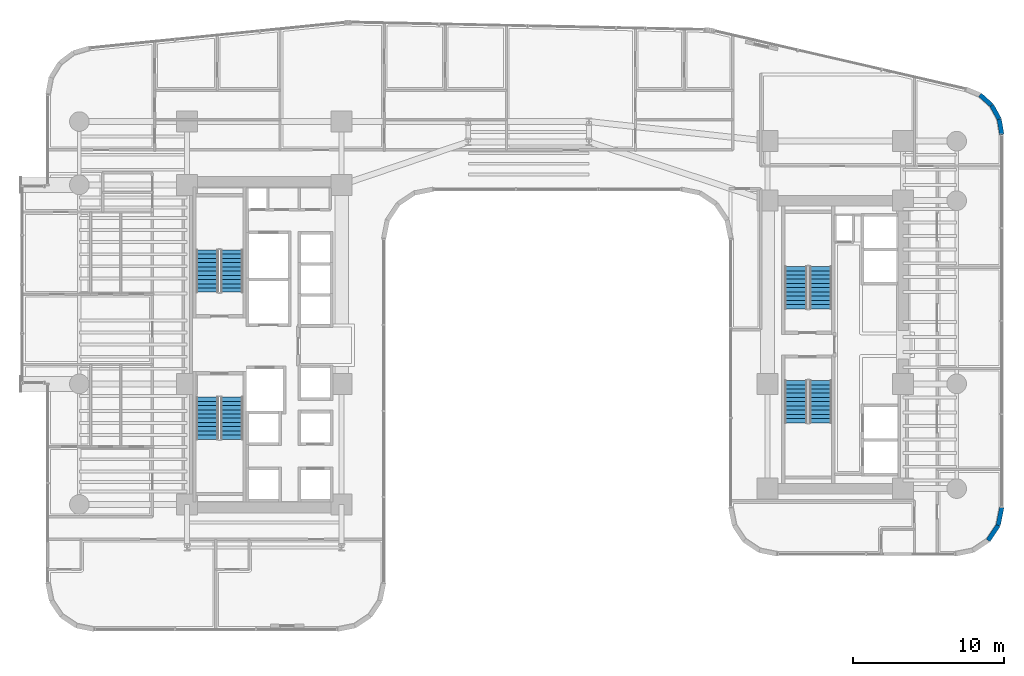
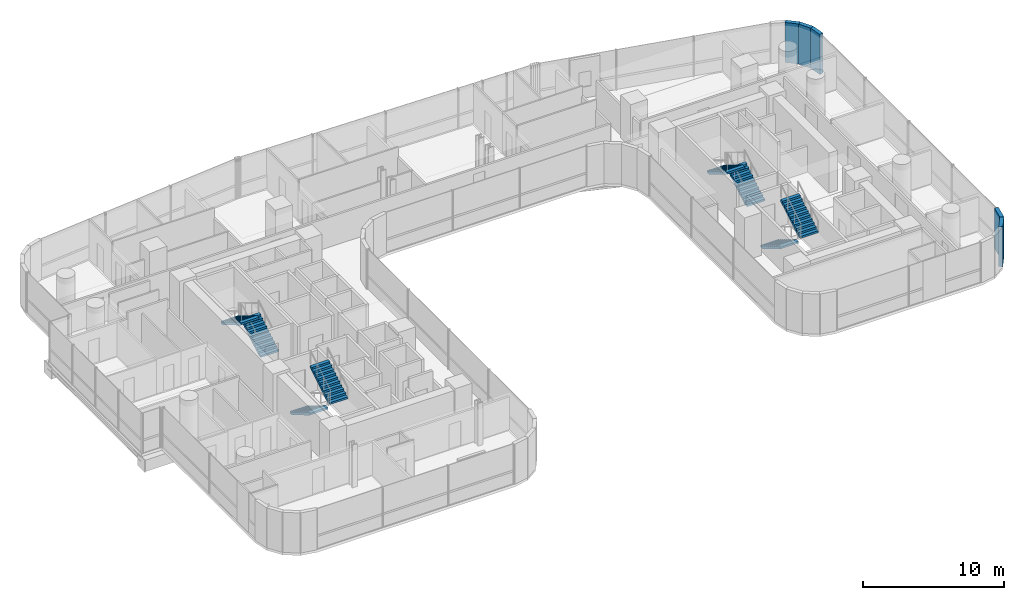
# One storey, part 34 of 40: 8 stair flights, 5 walls, 4 elements without a shape of their own.
"""IFC4 building model written with IfcOpenShell, lengths in metres."""

from ifc_helpers import new_model, si_unit, direction, frame, frame_2d, origin, place, context, subcontext, project, spatial, polyline, rectangle, outline, extrude, material, layer, layer_set, type_object, element, aggregate, save


model = new_model("IFC4")

# Units and contexts
model_context = context("Model", 3, precision=1e-05, world=origin(), true_north=direction((0.0, 1.0)))
body_context = subcontext(model_context, "Body", "Model", "MODEL_VIEW")
ifc_project = project(units=[si_unit("LENGTHUNIT", "METRE"), si_unit("AREAUNIT", "SQUARE_METRE"), si_unit("VOLUMEUNIT", "CUBIC_METRE"), si_unit("PLANEANGLEUNIT", "RADIAN"), si_unit("MASSUNIT", "GRAM", prefix="KILO")], contexts=[model_context])

# Site, building, storey
site_placement = place(None, origin())
site = spatial("IfcSite", under=ifc_project, at=site_placement, CompositionType="ELEMENT")
building_placement = place(site_placement, origin())
building = spatial("IfcBuilding", under=site, at=building_placement, Name="Valdorenza Pilgrim Sanctuary Tower", CompositionType="ELEMENT")
storey_placement = place(building_placement, frame((0.0, 0.0, 40.800048828125)))
storey = spatial("IfcBuildingStorey", under=building, at=storey_placement, Name="L09", CompositionType="ELEMENT", Elevation=40.800048828125)

# Walls
ifc_material_1 = material(Name="Honed travertine limestone", Category="masonry")
ifc_layer = layer(ifc_material_1, 0.300048828125, Name="Honed travertine limestone")
ifc_layer_set = layer_set([ifc_layer], Name="Honed travertine limestone")
wall_type = type_object("IfcWallType", Name="WAL-EXT-300", PredefinedType="SOLIDWALL", material=ifc_layer_set)
wall_1_placement = place(storey_placement, frame((29.947998046875, 16.56640625, 0.0), z_axis=(0.0, 0.0, 1.0), x_axis=(0.744585645533, -0.66752694063, 0.0)))
element("IfcWall", 1, at=wall_1_placement, inside=storey, type_object=wall_type, Name="L09 Rounded Wind-Corner Stone Pier 18", PredefinedType="SOLIDWALL", context=body_context, shape_type="SweptSolid", body=[
    extrude(rectangle(XDim=1.032958984375, YDim=0.300048828125, at=frame_2d((0.5166015625, 0.0))), origin(), (0.0, 0.0, 1.0), 3.4599609375),
])
wall_2_placement = place(storey_placement, frame((30.717041015625, 15.876953125, 0.0), z_axis=(0.0, 0.0, 1.0), x_axis=(0.482971098131, -0.875636293429, 0.0)))
element("IfcWall", 2, at=wall_2_placement, inside=storey, type_object=wall_type, Name="L09 Rounded Wind-Corner Stone Pier 19", PredefinedType="SOLIDWALL", context=body_context, shape_type="SweptSolid", body=[
    extrude(rectangle(XDim=1.03271484375, YDim=0.300048828125, at=frame_2d((0.516357421875, 0.0))), origin(), (0.0, 0.0, 1.0), 3.4599609375),
])
wall_3_placement = place(storey_placement, frame((31.2158203125, 14.97265625, 0.0), z_axis=(0.0, 0.0, 1.0), x_axis=(0.167019462117, -0.985953598946, 0.0)))
element("IfcWall", 3, at=wall_3_placement, inside=storey, type_object=wall_type, Name="L09 Rounded Wind-Corner Stone Pier 20", PredefinedType="SOLIDWALL", context=body_context, shape_type="SweptSolid", body=[
    extrude(rectangle(XDim=1.042236328125, YDim=0.300048828125, at=frame_2d((0.52099609375, 0.0))), origin(), (0.0, 0.0, 1.0), 3.4599609375),
])
wall_4_placement = place(storey_placement, frame((31.389892578125, -10.789306640625, 0.0), z_axis=(0.0, 0.0, 1.0), x_axis=(-0.194996050505, -0.980804027463, 0.0)))
element("IfcWall", 4, at=wall_4_placement, inside=storey, type_object=wall_type, Name="L09 Rounded Wind-Corner Stone Pier 22", PredefinedType="SOLIDWALL", context=body_context, shape_type="SweptSolid", body=[
    extrude(rectangle(XDim=1.2158203125, YDim=0.300048828125, at=frame_2d((0.60791015625, 0.0))), origin(), (0.0, 0.0, 1.0), 3.4599609375),
])
wall_5_placement = place(storey_placement, frame((31.15283203125, -11.981689453125, 0.0), z_axis=(0.0, 0.0, 1.0), x_axis=(-0.555635100982, -0.831426265255, 0.0)))
element("IfcWall", 5, at=wall_5_placement, inside=storey, type_object=wall_type, Name="L09 Rounded Wind-Corner Stone Pier 23", PredefinedType="SOLIDWALL", context=body_context, shape_type="SweptSolid", body=[
    extrude(rectangle(XDim=1.204833984375, YDim=0.300048828125, at=frame_2d((0.6025390625, 0.0))), origin(), (0.0, 0.0, 1.0), 3.4599609375),
])

# Stair, stair flights
ifc_material_2 = material(Name="Concrete C40/50", Category="concrete")
stair_type = type_object("IfcStairType", Name="STR-DOG-CORE", PredefinedType="HALF_TURN_STAIR", material=ifc_material_2)
stair_1_placement = place(storey_placement, origin())
stair_1 = element("IfcStair", 6, at=stair_1_placement, inside=storey, type_object=stair_type, Name="L09 ST-A1", PredefinedType="HALF_TURN_STAIR")
stair_flight_type = type_object("IfcStairFlightType", Name="STF-RC-1400", PredefinedType="STRAIGHT", material=ifc_material_2)
stair_flight_1_placement = place(storey_placement, frame((-19.679931640625, 3.47998046875, 0.0), z_axis=(0.0, 0.0, 1.0), x_axis=(0.0, 1.0, 0.0)))
stair_flight_1 = element("IfcStairFlight", 7, at=stair_flight_1_placement, type_object=stair_flight_type, Name="ST-A1 flight 1", NumberOfRisers=11, NumberOfTreads=10, PredefinedType="STRAIGHT", RiserHeight=0.168181818, TreadLength=0.28, context=body_context, shape_type="SweptSolid", body=[
    extrude(outline(polyline([(0.0, 0.0), (0.0, 0.168212890625), (0.280029296875, 0.168212890625), (0.280029296875, 0.33642578125), (0.56005859375, 0.33642578125), (0.56005859375, 0.504638671875), (0.840087890625, 0.504638671875), (0.840087890625, 0.672607421875), (1.1201171875, 0.672607421875), (1.1201171875, 0.8408203125), (1.39990234375, 0.8408203125), (1.39990234375, 1.009033203125), (1.679931640625, 1.009033203125), (1.679931640625, 1.17724609375), (1.9599609375, 1.17724609375), (1.9599609375, 1.345458984375), (2.239990234375, 1.345458984375), (2.239990234375, 1.513671875), (2.52001953125, 1.513671875), (2.52001953125, 1.681884765625), (2.800048828125, 1.681884765625), (2.800048828125, 1.85009765625), (2.800048828125, 1.5068359375), (0.291015625, 0.0), (0.0, 0.0)])), frame((0.0, 0.739990234375, 0.0), z_axis=(0.0, -1.0, 0.0), x_axis=(1.0, 0.0, 0.0)), (0.0, 0.0, 1.0), 1.47998046875),
])
stair_flight_2_placement = place(storey_placement, frame((-21.31005859375, 6.280029296875, 1.849853515625), z_axis=(0.0, 0.0, 1.0), x_axis=(0.0, -1.0, 0.0)))
stair_flight_2 = element("IfcStairFlight", 8, at=stair_flight_2_placement, type_object=stair_flight_type, Name="ST-A1 flight 2", NumberOfRisers=11, NumberOfTreads=10, PredefinedType="STRAIGHT", RiserHeight=0.168181818, TreadLength=0.28, context=body_context, shape_type="SweptSolid", body=[
    extrude(outline(polyline([(0.0, 0.0), (0.0, 0.168212890625), (0.280029296875, 0.168212890625), (0.280029296875, 0.33642578125), (0.56005859375, 0.33642578125), (0.56005859375, 0.504638671875), (0.840087890625, 0.504638671875), (0.840087890625, 0.672607421875), (1.1201171875, 0.672607421875), (1.1201171875, 0.8408203125), (1.39990234375, 0.8408203125), (1.39990234375, 1.009033203125), (1.679931640625, 1.009033203125), (1.679931640625, 1.17724609375), (1.9599609375, 1.17724609375), (1.9599609375, 1.345458984375), (2.239990234375, 1.345458984375), (2.239990234375, 1.513671875), (2.52001953125, 1.513671875), (2.52001953125, 1.681884765625), (2.800048828125, 1.681884765625), (2.800048828125, 1.85009765625), (2.800048828125, 1.5068359375), (0.291015625, 0.0), (0.0, 0.0)])), frame((0.0, 0.739990234375, 0.0), z_axis=(0.0, -1.0, 0.0), x_axis=(1.0, 0.0, 0.0)), (0.0, 0.0, 1.0), 1.47998046875),
])
aggregate(stair_1, [stair_flight_1, stair_flight_2])

stair_2_placement = place(storey_placement, origin())
stair_2 = element("IfcStair", 9, at=stair_2_placement, inside=storey, type_object=stair_type, Name="L09 ST-A2", PredefinedType="HALF_TURN_STAIR")
stair_flight_3_placement = place(storey_placement, frame((-21.31005859375, -3.47998046875, 0.0), z_axis=(0.0, 0.0, 1.0), x_axis=(0.0, -1.0, 0.0)))
stair_flight_3 = element("IfcStairFlight", 10, at=stair_flight_3_placement, type_object=stair_flight_type, Name="ST-A2 flight 1", NumberOfRisers=11, NumberOfTreads=10, PredefinedType="STRAIGHT", RiserHeight=0.168181818, TreadLength=0.28, context=body_context, shape_type="SweptSolid", body=[
    extrude(outline(polyline([(0.0, 0.0), (0.0, 0.168212890625), (0.280029296875, 0.168212890625), (0.280029296875, 0.33642578125), (0.56005859375, 0.33642578125), (0.56005859375, 0.504638671875), (0.840087890625, 0.504638671875), (0.840087890625, 0.672607421875), (1.1201171875, 0.672607421875), (1.1201171875, 0.8408203125), (1.39990234375, 0.8408203125), (1.39990234375, 1.009033203125), (1.679931640625, 1.009033203125), (1.679931640625, 1.17724609375), (1.9599609375, 1.17724609375), (1.9599609375, 1.345458984375), (2.239990234375, 1.345458984375), (2.239990234375, 1.513671875), (2.52001953125, 1.513671875), (2.52001953125, 1.681884765625), (2.800048828125, 1.681884765625), (2.800048828125, 1.85009765625), (2.800048828125, 1.5068359375), (0.291015625, 0.0), (0.0, 0.0)])), frame((0.0, 0.739990234375, 0.0), z_axis=(0.0, -1.0, 0.0), x_axis=(1.0, 0.0, 0.0)), (0.0, 0.0, 1.0), 1.47998046875),
])
stair_flight_4_placement = place(storey_placement, frame((-19.679931640625, -6.280029296875, 1.849853515625), z_axis=(0.0, 0.0, 1.0), x_axis=(0.0, 1.0, 0.0)))
stair_flight_4 = element("IfcStairFlight", 11, at=stair_flight_4_placement, type_object=stair_flight_type, Name="ST-A2 flight 2", NumberOfRisers=11, NumberOfTreads=10, PredefinedType="STRAIGHT", RiserHeight=0.168181818, TreadLength=0.28, context=body_context, shape_type="SweptSolid", body=[
    extrude(outline(polyline([(0.0, 0.0), (0.0, 0.168212890625), (0.280029296875, 0.168212890625), (0.280029296875, 0.33642578125), (0.56005859375, 0.33642578125), (0.56005859375, 0.504638671875), (0.840087890625, 0.504638671875), (0.840087890625, 0.672607421875), (1.1201171875, 0.672607421875), (1.1201171875, 0.8408203125), (1.39990234375, 0.8408203125), (1.39990234375, 1.009033203125), (1.679931640625, 1.009033203125), (1.679931640625, 1.17724609375), (1.9599609375, 1.17724609375), (1.9599609375, 1.345458984375), (2.239990234375, 1.345458984375), (2.239990234375, 1.513671875), (2.52001953125, 1.513671875), (2.52001953125, 1.681884765625), (2.800048828125, 1.681884765625), (2.800048828125, 1.85009765625), (2.800048828125, 1.5068359375), (0.291015625, 0.0), (0.0, 0.0)])), frame((0.0, 0.739990234375, 0.0), z_axis=(0.0, -1.0, 0.0), x_axis=(1.0, 0.0, 0.0)), (0.0, 0.0, 1.0), 1.47998046875),
])
aggregate(stair_2, [stair_flight_3, stair_flight_4])

stair_3_placement = place(storey_placement, origin())
stair_3 = element("IfcStair", 12, at=stair_3_placement, inside=storey, type_object=stair_type, Name="L09 ST-B1", PredefinedType="HALF_TURN_STAIR")
stair_flight_5_placement = place(storey_placement, frame((19.3701171875, 2.3798828125, 0.0), z_axis=(0.0, 0.0, 1.0), x_axis=(0.0, 1.0, 0.0)))
stair_flight_5 = element("IfcStairFlight", 13, at=stair_flight_5_placement, type_object=stair_flight_type, Name="ST-B1 flight 1", NumberOfRisers=11, NumberOfTreads=10, PredefinedType="STRAIGHT", RiserHeight=0.168181818, TreadLength=0.28, context=body_context, shape_type="SweptSolid", body=[
    extrude(outline(polyline([(0.0, 0.0), (0.0, 0.168212890625), (0.280029296875, 0.168212890625), (0.280029296875, 0.33642578125), (0.56005859375, 0.33642578125), (0.56005859375, 0.504638671875), (0.840087890625, 0.504638671875), (0.840087890625, 0.672607421875), (1.1201171875, 0.672607421875), (1.1201171875, 0.8408203125), (1.39990234375, 0.8408203125), (1.39990234375, 1.009033203125), (1.679931640625, 1.009033203125), (1.679931640625, 1.17724609375), (1.9599609375, 1.17724609375), (1.9599609375, 1.345458984375), (2.239990234375, 1.345458984375), (2.239990234375, 1.513671875), (2.52001953125, 1.513671875), (2.52001953125, 1.681884765625), (2.800048828125, 1.681884765625), (2.800048828125, 1.85009765625), (2.800048828125, 1.5068359375), (0.291015625, 0.0), (0.0, 0.0)])), frame((0.0, 0.739990234375, 0.0), z_axis=(0.0, -1.0, 0.0), x_axis=(1.0, 0.0, 0.0)), (0.0, 0.0, 1.0), 1.47998046875),
])
stair_flight_6_placement = place(storey_placement, frame((17.739990234375, 5.179931640625, 1.849853515625), z_axis=(0.0, 0.0, 1.0), x_axis=(0.0, -1.0, 0.0)))
stair_flight_6 = element("IfcStairFlight", 14, at=stair_flight_6_placement, type_object=stair_flight_type, Name="ST-B1 flight 2", NumberOfRisers=11, NumberOfTreads=10, PredefinedType="STRAIGHT", RiserHeight=0.168181818, TreadLength=0.28, context=body_context, shape_type="SweptSolid", body=[
    extrude(outline(polyline([(0.0, 0.0), (0.0, 0.168212890625), (0.280029296875, 0.168212890625), (0.280029296875, 0.33642578125), (0.56005859375, 0.33642578125), (0.56005859375, 0.504638671875), (0.840087890625, 0.504638671875), (0.840087890625, 0.672607421875), (1.1201171875, 0.672607421875), (1.1201171875, 0.8408203125), (1.39990234375, 0.8408203125), (1.39990234375, 1.009033203125), (1.679931640625, 1.009033203125), (1.679931640625, 1.17724609375), (1.9599609375, 1.17724609375), (1.9599609375, 1.345458984375), (2.239990234375, 1.345458984375), (2.239990234375, 1.513671875), (2.52001953125, 1.513671875), (2.52001953125, 1.681884765625), (2.800048828125, 1.681884765625), (2.800048828125, 1.85009765625), (2.800048828125, 1.5068359375), (0.291015625, 0.0), (0.0, 0.0)])), frame((0.0, 0.739990234375, 0.0), z_axis=(0.0, -1.0, 0.0), x_axis=(1.0, 0.0, 0.0)), (0.0, 0.0, 1.0), 1.47998046875),
])
aggregate(stair_3, [stair_flight_5, stair_flight_6])

stair_4_placement = place(storey_placement, origin())
stair_4 = element("IfcStair", 15, at=stair_4_placement, inside=storey, type_object=stair_type, Name="L09 ST-B2", PredefinedType="HALF_TURN_STAIR")
stair_flight_7_placement = place(storey_placement, frame((17.739990234375, -2.3798828125, 0.0), z_axis=(0.0, 0.0, 1.0), x_axis=(0.0, -1.0, 0.0)))
stair_flight_7 = element("IfcStairFlight", 16, at=stair_flight_7_placement, type_object=stair_flight_type, Name="ST-B2 flight 1", NumberOfRisers=11, NumberOfTreads=10, PredefinedType="STRAIGHT", RiserHeight=0.168181818, TreadLength=0.28, context=body_context, shape_type="SweptSolid", body=[
    extrude(outline(polyline([(0.0, 0.0), (0.0, 0.168212890625), (0.280029296875, 0.168212890625), (0.280029296875, 0.33642578125), (0.56005859375, 0.33642578125), (0.56005859375, 0.504638671875), (0.840087890625, 0.504638671875), (0.840087890625, 0.672607421875), (1.1201171875, 0.672607421875), (1.1201171875, 0.8408203125), (1.39990234375, 0.8408203125), (1.39990234375, 1.009033203125), (1.679931640625, 1.009033203125), (1.679931640625, 1.17724609375), (1.9599609375, 1.17724609375), (1.9599609375, 1.345458984375), (2.239990234375, 1.345458984375), (2.239990234375, 1.513671875), (2.52001953125, 1.513671875), (2.52001953125, 1.681884765625), (2.800048828125, 1.681884765625), (2.800048828125, 1.85009765625), (2.800048828125, 1.5068359375), (0.291015625, 0.0), (0.0, 0.0)])), frame((0.0, 0.739990234375, 0.0), z_axis=(0.0, -1.0, 0.0), x_axis=(1.0, 0.0, 0.0)), (0.0, 0.0, 1.0), 1.47998046875),
])
stair_flight_8_placement = place(storey_placement, frame((19.3701171875, -5.179931640625, 1.849853515625), z_axis=(0.0, 0.0, 1.0), x_axis=(0.0, 1.0, 0.0)))
stair_flight_8 = element("IfcStairFlight", 17, at=stair_flight_8_placement, type_object=stair_flight_type, Name="ST-B2 flight 2", NumberOfRisers=11, NumberOfTreads=10, PredefinedType="STRAIGHT", RiserHeight=0.168181818, TreadLength=0.28, context=body_context, shape_type="SweptSolid", body=[
    extrude(outline(polyline([(0.0, 0.0), (0.0, 0.168212890625), (0.280029296875, 0.168212890625), (0.280029296875, 0.33642578125), (0.56005859375, 0.33642578125), (0.56005859375, 0.504638671875), (0.840087890625, 0.504638671875), (0.840087890625, 0.672607421875), (1.1201171875, 0.672607421875), (1.1201171875, 0.8408203125), (1.39990234375, 0.8408203125), (1.39990234375, 1.009033203125), (1.679931640625, 1.009033203125), (1.679931640625, 1.17724609375), (1.9599609375, 1.17724609375), (1.9599609375, 1.345458984375), (2.239990234375, 1.345458984375), (2.239990234375, 1.513671875), (2.52001953125, 1.513671875), (2.52001953125, 1.681884765625), (2.800048828125, 1.681884765625), (2.800048828125, 1.85009765625), (2.800048828125, 1.5068359375), (0.291015625, 0.0), (0.0, 0.0)])), frame((0.0, 0.739990234375, 0.0), z_axis=(0.0, -1.0, 0.0), x_axis=(1.0, 0.0, 0.0)), (0.0, 0.0, 1.0), 1.47998046875),
])
aggregate(stair_4, [stair_flight_7, stair_flight_8])

save(model, "model.ifc")
